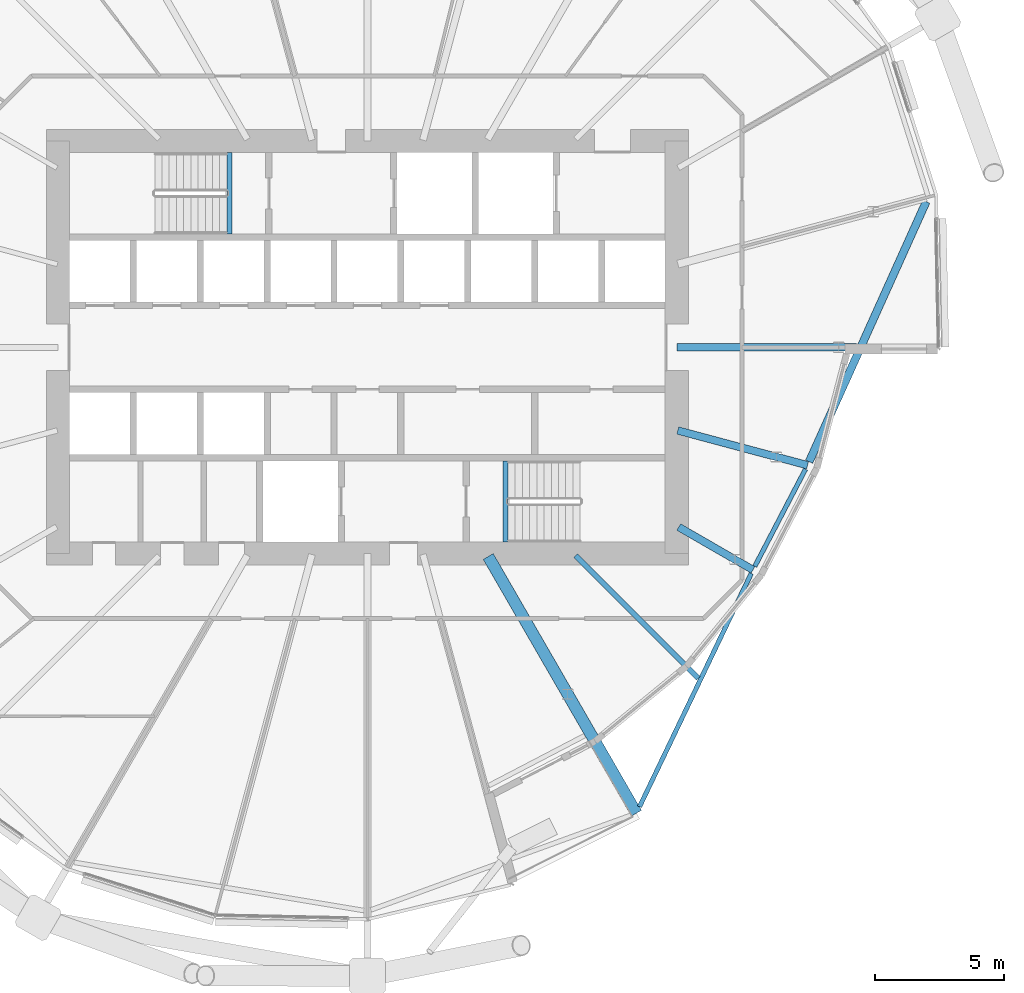
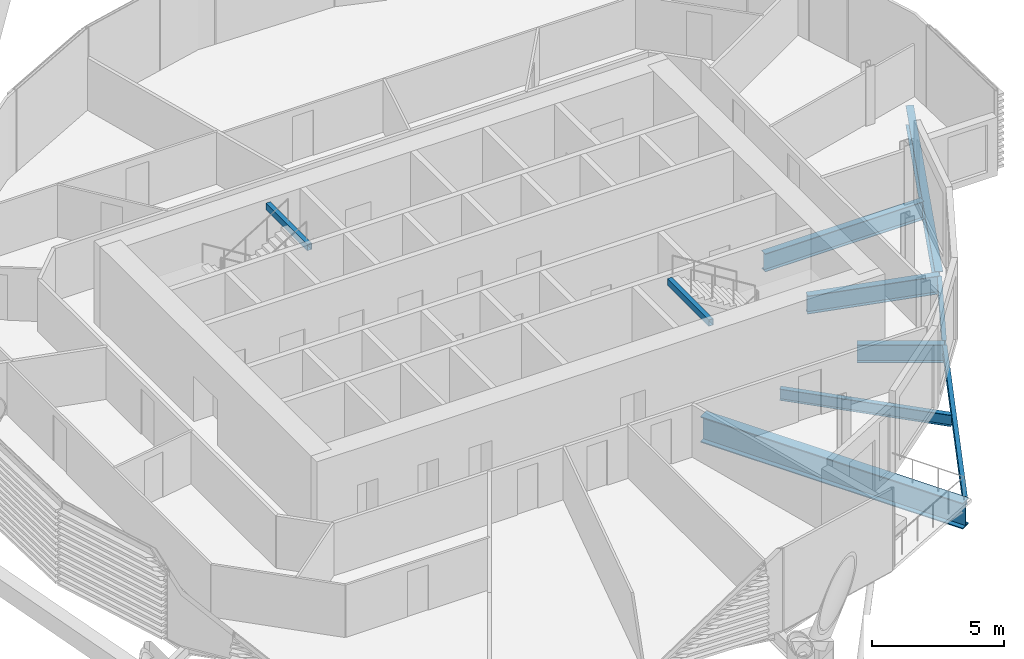
# One storey, part 14 of 36: 10 beams.
"""IFC4 building model written with IfcOpenShell, lengths in metres."""

from ifc_helpers import new_model, si_unit, direction, frame, origin, origin_2d, place, context, subcontext, project, spatial, hollow_rectangle, i_section, extrude, material, material_profile, profile_set, type_object, element, save


model = new_model("IFC4")

# Units and contexts
model_context = context("Model", 3, precision=1e-05, world=origin(), true_north=direction((0.0, 1.0)))
body_context = subcontext(model_context, "Body", "Model", "MODEL_VIEW")
ifc_project = project(units=[si_unit("LENGTHUNIT", "METRE"), si_unit("AREAUNIT", "SQUARE_METRE"), si_unit("VOLUMEUNIT", "CUBIC_METRE"), si_unit("PLANEANGLEUNIT", "RADIAN"), si_unit("MASSUNIT", "GRAM", prefix="KILO")], contexts=[model_context])

# Site, building, storey
site_placement = place(None, origin())
site = spatial("IfcSite", under=ifc_project, at=site_placement, CompositionType="ELEMENT")
building_placement = place(site_placement, origin())
building = spatial("IfcBuilding", under=site, at=building_placement, Name="Rimbun Link Towers", CompositionType="ELEMENT")
storey_placement = place(building_placement, frame((0.0, 0.0, 64.199951171875)))
storey = spatial("IfcBuildingStorey", under=building, at=storey_placement, Name="L15", CompositionType="ELEMENT", Elevation=64.199951171875)

# Beams
ifc_material_1 = material(Name="Steel S355J2", Category="steel")
ifc_material_profile_1 = material_profile(ifc_material_1, i_section(OverallWidth=0.449951171875, OverallDepth=1.199951171875, WebThickness=0.030029296875, FlangeThickness=0.044921875, at=origin_2d()), Name="PG 1200x450x30/45")
ifc_profile_set_1 = profile_set([ifc_material_profile_1], Name="Steel S355J2")
beam_type_1 = type_object("IfcBeamType", Name="PG 1200x450x30/45", PredefinedType="BEAM", material=ifc_profile_set_1)
beam_1_placement = place(storey_placement, frame((36.434326171875, -8.11328125, -0.760009765625), z_axis=(0.499988936024, -0.86603179148, 0.0), x_axis=(0.86603179148, 0.499988936024, 0.0)))
element("IfcBeam", 1, at=beam_1_placement, inside=storey, type_object=beam_type_1, Name="Radial beam T2 L15 17", PredefinedType="BEAM", context=body_context, shape_type="SweptSolid", body=[
    extrude(i_section(OverallWidth=0.449951171875, OverallDepth=1.199951171875, WebThickness=0.030029296875, FlangeThickness=0.044921875, at=origin_2d()), origin(), (0.0, 0.0, 1.0), 11.499267578125),
])
ifc_material_2 = material(Name="Steel S355J2", Category="steel")
ifc_material_profile_2 = material_profile(ifc_material_2, hollow_rectangle(XDim=0.199951171875, YDim=0.300048828125, WallThickness=0.011962890625, at=origin_2d()), Name="BOX 300x200x12")
ifc_profile_set_2 = profile_set([ifc_material_profile_2], Name="Steel S355J2")
beam_type_2 = type_object("IfcBeamType", Name="Stair trimmer beam BOX 300x200x12", PredefinedType="BEAM", material=ifc_profile_set_2)
for number, where, z_axis, x_axis, name in (
    (2, (26.39990234375, 7.550048828125, 3.489990234375), (0.0, -1.0, 0.0), (1.0, 0.0, 0.0), "L15 ST3 stair beam 1"),
    (3, (37.10009765625, -7.550048828125, 3.489990234375), (0.0, 1.0, 0.0), (-1.0, 0.0, 0.0), "L15 ST4 stair beam 1"),
):
    element("IfcBeam", number, at=place(storey_placement, frame(where, z_axis=z_axis, x_axis=x_axis)), inside=storey, type_object=beam_type_2, Name=name, PredefinedType="BEAM", context=body_context, shape_type="SweptSolid", body=[
        extrude(hollow_rectangle(XDim=0.199951171875, YDim=0.300048828125, WallThickness=0.011962890625, at=origin_2d()), origin(), (0.0, 0.0, 1.0), 3.150146484375),
    ])
ifc_material_3 = material(Name="Steel S355J2", Category="steel")
ifc_material_profile_3 = material_profile(ifc_material_3, i_section(OverallWidth=0.177978515625, OverallDepth=0.406494140625, WebThickness=0.0078125, FlangeThickness=0.0126953125, at=origin_2d()), Name="UB 406x178x60")
ifc_profile_set_3 = profile_set([ifc_material_profile_3], Name="Steel S355J2")
beam_type_3 = type_object("IfcBeamType", Name="UB 406x178x60", PredefinedType="BEAM", material=ifc_profile_set_3)
beam_2_placement = place(storey_placement, frame((42.30224609375, -17.8251953125, -0.363037109375), z_axis=(0.431941421856, 0.901901662092, 0.0), x_axis=(-0.901901662092, 0.431941421856, 0.0)))
element("IfcBeam", 4, at=beam_2_placement, inside=storey, type_object=beam_type_3, Name="Edge beam T2 L15 17-19", PredefinedType="BEAM", context=body_context, shape_type="SweptSolid", body=[
    extrude(i_section(OverallWidth=0.177978515625, OverallDepth=0.406494140625, WebThickness=0.0078125, FlangeThickness=0.0126953125, at=origin_2d()), origin(), (0.0, 0.0, 1.0), 10.04345703125),
])
beam_3_placement = place(storey_placement, frame((46.774169921875, -8.499755859375, -0.363037109375), z_axis=(0.462495443014, 0.886621658427, 0.0), x_axis=(-0.886621658427, 0.462495443014, 0.0)))
element("IfcBeam", 5, at=beam_3_placement, inside=storey, type_object=beam_type_3, Name="Edge beam T2 L15 19 recess", PredefinedType="BEAM", context=body_context, shape_type="SweptSolid", body=[
    extrude(i_section(OverallWidth=0.177978515625, OverallDepth=0.406494140625, WebThickness=0.0078125, FlangeThickness=0.0126953125, at=origin_2d()), origin(), (0.0, 0.0, 1.0), 4.2568359375),
])
ifc_material_4 = material(Name="Steel S355J2", Category="steel")
ifc_material_profile_4 = material_profile(ifc_material_4, i_section(OverallWidth=0.209228515625, OverallDepth=0.533203125, WebThickness=0.010009765625, FlangeThickness=0.015625, at=origin_2d()), Name="UB 533x210x92")
ifc_profile_set_4 = profile_set([ifc_material_profile_4], Name="Steel S355J2")
beam_type_4 = type_object("IfcBeamType", Name="UB 533x210x92", PredefinedType="BEAM", material=ifc_profile_set_4)
beam_4_placement = place(storey_placement, frame((39.82470703125, -8.07470703125, -0.426513671875), z_axis=(0.707106781187, -0.707106781187, 0.0), x_axis=(0.707106781187, 0.707106781187, 0.0)))
element("IfcBeam", 6, at=beam_4_placement, inside=storey, type_object=beam_type_4, Name="Radial beam T2 L15 18", PredefinedType="BEAM", context=body_context, shape_type="SweptSolid", body=[
    extrude(i_section(OverallWidth=0.209228515625, OverallDepth=0.533203125, WebThickness=0.010009765625, FlangeThickness=0.015625, at=origin_2d()), origin(), (0.0, 0.0, 1.0), 6.7392578125),
])
ifc_material_5 = material(Name="Steel S355J2", Category="steel")
ifc_material_profile_5 = material_profile(ifc_material_5, i_section(OverallWidth=0.29248046875, OverallDepth=0.8408203125, WebThickness=0.0126953125, FlangeThickness=0.021728515625, at=origin_2d()), Name="UB 838x292x194")
ifc_profile_set_5 = profile_set([ifc_material_profile_5], Name="Steel S355J2")
beam_type_5 = type_object("IfcBeamType", Name="UB 838x292x194", PredefinedType="BEAM", material=ifc_profile_set_5)
beam_5_placement = place(storey_placement, frame((43.823974609375, -6.970947265625, -0.580322265625), z_axis=(0.866025439566, -0.499999938025, 0.0), x_axis=(0.499999938025, 0.866025439566, 0.0)))
element("IfcBeam", 7, at=beam_5_placement, inside=storey, type_object=beam_type_5, Name="Radial beam T2 L15 19", PredefinedType="BEAM", context=body_context, shape_type="SweptSolid", body=[
    extrude(i_section(OverallWidth=0.29248046875, OverallDepth=0.8408203125, WebThickness=0.0126953125, FlangeThickness=0.021728515625, at=origin_2d()), origin(), (0.0, 0.0, 1.0), 3.32568359375),
])
beam_6_placement = place(storey_placement, frame((43.788818359375, -3.225830078125, -0.580322265625), z_axis=(0.965931737798, -0.258796982044, 0.0), x_axis=(0.258796982044, 0.965931737798, 0.0)))
element("IfcBeam", 8, at=beam_6_placement, inside=storey, type_object=beam_type_5, Name="Radial beam T2 L15 20", PredefinedType="BEAM", context=body_context, shape_type="SweptSolid", body=[
    extrude(i_section(OverallWidth=0.29248046875, OverallDepth=0.8408203125, WebThickness=0.0126953125, FlangeThickness=0.021728515625, at=origin_2d()), origin(), (0.0, 0.0, 1.0), 5.210205078125),
])
beam_7_placement = place(storey_placement, frame((43.7509765625, 0.0, -0.580322265625), z_axis=(1.0, 0.0, 0.0), x_axis=(0.0, 1.0, 0.0)))
element("IfcBeam", 9, at=beam_7_placement, inside=storey, type_object=beam_type_5, Name="Radial beam T2 L15 21", PredefinedType="BEAM", context=body_context, shape_type="SweptSolid", body=[
    extrude(i_section(OverallWidth=0.29248046875, OverallDepth=0.8408203125, WebThickness=0.0126953125, FlangeThickness=0.021728515625, at=origin_2d()), origin(), (0.0, 0.0, 1.0), 6.9619140625),
])
ifc_material_6 = material(Name="Steel S355J2", Category="steel")
ifc_material_profile_6 = material_profile(ifc_material_6, i_section(OverallWidth=0.305419921875, OverallDepth=0.91845703125, WebThickness=0.017333984375, FlangeThickness=0.02783203125, at=origin_2d()), Name="UB 914x305x253")
ifc_profile_set_6 = profile_set([ifc_material_profile_6], Name="Steel S355J2")
beam_type_6 = type_object("IfcBeamType", Name="UB 914x305x253", PredefinedType="BEAM", material=ifc_profile_set_6)
beam_8_placement = place(storey_placement, frame((48.8828125, -4.4384765625, -0.619140625), z_axis=(0.410572969275, 0.911827745191, 0.0), x_axis=(-0.911827745191, 0.410572969275, 0.0)))
element("IfcBeam", 10, at=beam_8_placement, inside=storey, type_object=beam_type_6, Name="Edge beam T2 L15 20-22", PredefinedType="BEAM", context=body_context, shape_type="SweptSolid", body=[
    extrude(i_section(OverallWidth=0.305419921875, OverallDepth=0.91845703125, WebThickness=0.017333984375, FlangeThickness=0.02783203125, at=origin_2d()), origin(), (0.0, 0.0, 1.0), 11.0625),
])

save(model, "model.ifc")
